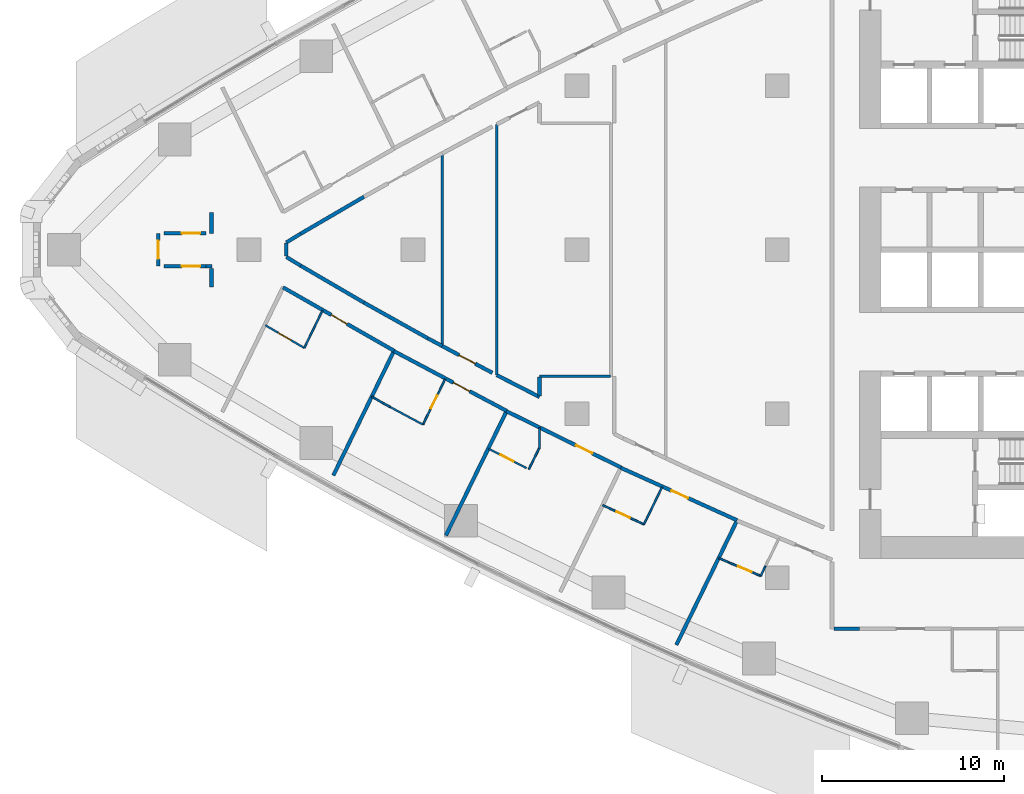
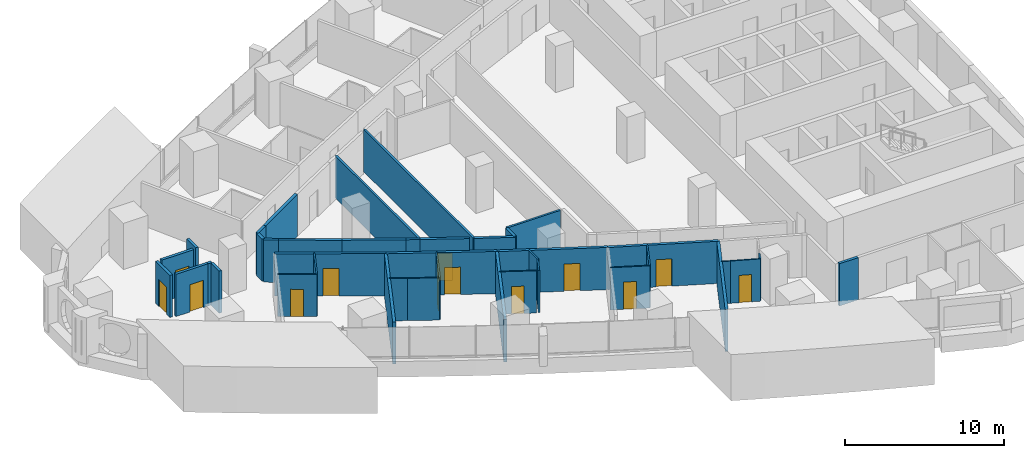
# One storey, part 9 of 19: 40 walls, 13 doors, 13 openings.
"""IFC4 building model written with IfcOpenShell, lengths in metres."""

import ifcopenshell
import ifcopenshell.guid

model = None  # the IFC model being written
_history = None  # IfcOwnerHistory: only IFC2X3 demands one
_inside = {}  # id of a spatial element -> (the spatial element, [elements in it])
_under = {}  # id of a project, library or spatial element -> (it, [spatial elements below it])
_declared = {}  # id of a project -> (the project, [libraries it declares])
_typed = {}  # id of a type object -> (the type object, [elements of that type])
_made_of = {}  # id of a material, layer set ... -> (it, [elements and type objects made of it])


def new_model(schema):
    """Start an empty IFC model of exactly this schema.

    Asked for "IFC4X3", IfcOpenShell would pick the latest addendum, in which some entities
    have other attributes; the version numbers below select the first issue.
    IFC2X3 requires an IfcOwnerHistory on every rooted entity: one is made here for all.
    """
    global model, _history
    if schema == "IFC4X3":
        model = ifcopenshell.file(schema_version=(4, 3, 0, 0))
    else:
        model = ifcopenshell.file(schema=schema)
    _inside.clear()
    _under.clear()
    _declared.clear()
    _typed.clear()
    _made_of.clear()
    _history = None
    if model.schema == "IFC2X3":
        org = make("IfcOrganization", Name="unknown")
        user = make(
            "IfcPersonAndOrganization",
            ThePerson=make("IfcPerson", FamilyName="unknown"),
            TheOrganization=org,
        )
        app = make(
            "IfcApplication",
            ApplicationDeveloper=org,
            Version="unknown",
            ApplicationFullName="unknown",
            ApplicationIdentifier="unknown",
        )
        _history = make(
            "IfcOwnerHistory",
            OwningUser=user,
            OwningApplication=app,
            ChangeAction="ADDED",
            CreationDate=0,
        )
    return model


def make(cls, **values):
    """One entity of the class cls with the attributes given. An attribute that is None is left unset."""
    return model.create_entity(
        cls, **{name: value for name, value in values.items() if value is not None}
    )


def rooted(cls, **values):
    """An entity with a GlobalId (a new one), such as an element, a storey or a relation."""
    return make(cls, GlobalId=ifcopenshell.guid.new(), OwnerHistory=_history, **values)


def si_unit(unit_type, name, prefix=None):
    """IfcSIUnit, for example si_unit("LENGTHUNIT", "METRE", prefix="MILLI")."""
    return make("IfcSIUnit", UnitType=unit_type, Prefix=prefix, Name=name)


def assignment(units):
    """IfcUnitAssignment: the units of a project."""
    return None if units is None else make("IfcUnitAssignment", Units=units)


def point(xyz):
    """IfcCartesianPoint."""
    return None if xyz is None else make("IfcCartesianPoint", Coordinates=xyz)


def direction(xyz):
    """IfcDirection."""
    return None if xyz is None else make("IfcDirection", DirectionRatios=xyz)


def frame(location, z_axis=None, x_axis=None):
    """IfcAxis2Placement3D, a coordinate frame: its origin and axes. An axis left out is left unset."""
    return make(
        "IfcAxis2Placement3D",
        Location=point(location),
        Axis=direction(z_axis),
        RefDirection=direction(x_axis),
    )


def frame_2d(location, x_axis=None):
    """IfcAxis2Placement2D, a coordinate frame in the plane: its origin and x axis."""
    return make(
        "IfcAxis2Placement2D", Location=point(location), RefDirection=direction(x_axis)
    )


def origin():
    """The frame at (0, 0, 0) with its axes left unset."""
    return frame((0.0, 0.0, 0.0))


def place(relative_to, where):
    """IfcLocalPlacement: puts the frame where relative to a parent placement (None: the world)."""
    return make(
        "IfcLocalPlacement", PlacementRelTo=relative_to, RelativePlacement=where
    )


def context(
    kind, dimensions, precision=None, world=None, true_north=None, identifier=None
):
    """IfcGeometricRepresentationContext, for example the 3D "Model" context."""
    return make(
        "IfcGeometricRepresentationContext",
        ContextIdentifier=identifier,
        ContextType=kind,
        CoordinateSpaceDimension=dimensions,
        Precision=precision,
        WorldCoordinateSystem=world,
        TrueNorth=true_north,
    )


def subcontext(parent, identifier, kind, view, scale=None):
    """IfcGeometricRepresentationSubContext, for example "Body" below "Model"."""
    return make(
        "IfcGeometricRepresentationSubContext",
        ContextIdentifier=identifier,
        ContextType=kind,
        ParentContext=parent,
        TargetScale=scale,
        TargetView=view,
    )


def project(units=None, contexts=None):
    """IfcProject with its units and contexts."""
    return rooted(
        "IfcProject",
        Name="project",
        RepresentationContexts=contexts,
        UnitsInContext=assignment(units),
    )


def spatial(cls, under=None, at=None, **own):
    """A site, building, storey or space (cls), placed at a placement, below another one or the project."""
    s = rooted(cls, ObjectPlacement=at, **own)
    if under is not None:
        _under.setdefault(under.id(), (under, []))[1].append(s)
    return s


def profile(cls, at=None, kind="AREA", **sizes):
    """A parametric profile (cls). Its sizes go by their IFC names, for example OverallWidth=200.0."""
    return make(cls, ProfileType=kind, Position=at, **sizes)


def rectangle(**sizes):
    """IfcRectangleProfileDef."""
    return profile("IfcRectangleProfileDef", **sizes)


def extrude(swept, where, along, depth):
    """IfcExtrudedAreaSolid: the profile swept, set in the frame where, extruded along a direction by depth."""
    return make(
        "IfcExtrudedAreaSolid",
        SweptArea=swept,
        Position=where,
        ExtrudedDirection=direction(along),
        Depth=depth,
    )


def shape(context_of_items, identifier, shape_type, items):
    """IfcShapeRepresentation: the items that make up one representation, for example the "Body"."""
    return make(
        "IfcShapeRepresentation",
        ContextOfItems=context_of_items,
        RepresentationIdentifier=identifier,
        RepresentationType=shape_type,
        Items=items,
    )


def material(Name=None, Category=None):
    """IfcMaterial."""
    return make("IfcMaterial", Name=Name, Category=Category)


def layer(
    of_material, thickness, ventilated=None, Name=None, Category=None, Priority=None
):
    """IfcMaterialLayer: one layer of a wall or slab, of a material (None: an air gap)."""
    return make(
        "IfcMaterialLayer",
        Material=of_material,
        LayerThickness=thickness,
        IsVentilated=ventilated,
        Name=Name,
        Category=Category,
        Priority=Priority,
    )


def layer_set(layers, Name=None):
    """IfcMaterialLayerSet."""
    return make("IfcMaterialLayerSet", MaterialLayers=layers, LayerSetName=Name)


def made_of(thing, what):
    """Note that an element or type object is made of a material, layer set ...; save() writes the relation."""
    if what is not None:
        _made_of.setdefault(what.id(), (what, []))[1].append(thing)
    return thing


def type_object(cls, material=None, **own):
    """A type object (cls), such as IfcWallType, which elements share."""
    return made_of(rooted(cls, **own), material)


def element(
    cls,
    number,
    at=None,
    inside=None,
    cuts=None,
    type_object=None,
    material=None,
    context=None,
    identifier="Body",
    shape_type=None,
    held_by="IfcProductDefinitionShape",
    body=None,
    shapes=None,
    **own,
):
    """One element of the class cls, such as IfcWall. Its Tag is "e" and its number.

    at: its placement. inside: the storey or other place that contains it. cuts: it is an
    opening in that element (IfcRelVoidsElement). A single representation is given by context,
    identifier, shape_type and body (its items); several are given by shapes. held_by: the class
    of the entity that holds the representations. save() writes the other relations.
    """
    e = rooted(cls, Tag="e%d" % number, ObjectPlacement=at, **own)
    if body is not None:
        shapes = [shape(context, identifier, shape_type, body)]
    if shapes is not None:
        e.Representation = make(held_by, Representations=shapes)
    if inside is not None:
        _inside.setdefault(inside.id(), (inside, []))[1].append(e)
    if cuts is not None:
        rooted(
            "IfcRelVoidsElement", RelatingBuildingElement=cuts, RelatedOpeningElement=e
        )
    if type_object is not None:
        _typed.setdefault(type_object.id(), (type_object, []))[1].append(e)
    return made_of(e, material)


def fill(opening, filler):
    """IfcRelFillsElement: the door or window that sits in an opening."""
    return rooted(
        "IfcRelFillsElement",
        RelatingOpeningElement=opening,
        RelatedBuildingElement=filler,
    )


def aggregate(whole, parts):
    """IfcRelAggregates: a whole, such as a stair, and the parts it consists of."""
    return rooted("IfcRelAggregates", RelatingObject=whole, RelatedObjects=parts)


def save(model, path):
    """Write the relations noted so far, then the file.

    IfcRelAggregates (storeys below a building ...), IfcRelContainedInSpatialStructure (elements
    in a storey), IfcRelDefinesByType, IfcRelAssociatesMaterial and IfcRelDeclares: one each for
    every whole, place, type object, material and project.
    """
    for whole, parts in _under.values():
        aggregate(whole, parts)
    for where, things in _inside.values():
        rooted(
            "IfcRelContainedInSpatialStructure",
            RelatedElements=things,
            RelatingStructure=where,
        )
    for kind, things in _typed.values():
        rooted("IfcRelDefinesByType", RelatedObjects=things, RelatingType=kind)
    for what, things in _made_of.values():
        rooted("IfcRelAssociatesMaterial", RelatedObjects=things, RelatingMaterial=what)
    for by, libraries in _declared.values():
        rooted("IfcRelDeclares", RelatingContext=by, RelatedDefinitions=libraries)
    model.write(path)


model = new_model("IFC4")

# Units and contexts
model_context = context("Model", 3, precision=1e-05, world=origin(), true_north=direction((0.0, 1.0)))
body_context = subcontext(model_context, "Body", "Model", "MODEL_VIEW")
ifc_project = project(units=[si_unit("LENGTHUNIT", "METRE"), si_unit("AREAUNIT", "SQUARE_METRE"), si_unit("VOLUMEUNIT", "CUBIC_METRE"), si_unit("PLANEANGLEUNIT", "RADIAN"), si_unit("MASSUNIT", "GRAM", prefix="KILO")], contexts=[model_context])

# Site, building, storey
site_placement = place(None, origin())
site = spatial("IfcSite", under=ifc_project, at=site_placement, CompositionType="ELEMENT")
building_placement = place(site_placement, origin())
building = spatial("IfcBuilding", under=site, at=building_placement, Name="Ostrand Prow Hotel Tower", CompositionType="ELEMENT")
storey_placement = place(building_placement, frame((0.0, 0.0, 68.0)))
storey = spatial("IfcBuildingStorey", under=building, at=storey_placement, Name="L15", CompositionType="ELEMENT", Elevation=68.0)

# Wall
ifc_material_1 = material(Name="Plasterboard partition")
ifc_layer_1 = layer(ifc_material_1, 0.10009765625)
ifc_layer_set_1 = layer_set([ifc_layer_1], Name="Plasterboard partition")
wall_type_1 = type_object("IfcWallType", Name="Partition 100 bathroom wall", PredefinedType="PARTITIONING", material=ifc_layer_set_1)
wall_1_placement = place(storey_placement, frame((20.035400390625, -3.338134765625, 0.0), z_axis=(0.0, 0.0, 1.0), x_axis=(-0.438122322582, -0.898915363344, 0.0)))
element("IfcWall", 1, at=wall_1_placement, inside=storey, type_object=wall_type_1, Name="BATHROOM WALL", PredefinedType="PARTITIONING", context=body_context, shape_type="SweptSolid", body=[
    extrude(rectangle(XDim=2.282958984375, YDim=0.10009765625, at=frame_2d((1.1416015625, 0.0))), origin(), (0.0, 0.0, 1.0), 3.25),
])

# Wall, opening, door
wall_2_placement = place(storey_placement, frame((19.034912109375, -5.390380859375, 0.0), z_axis=(0.0, 0.0, 1.0), x_axis=(-0.863707305865, 0.503993739837, 0.0)))
wall_2 = element("IfcWall", 2, at=wall_2_placement, inside=storey, type_object=wall_type_1, Name="BATHROOM WALL", PredefinedType="PARTITIONING", context=body_context, shape_type="SweptSolid", body=[
    extrude(rectangle(XDim=2.473876953125, YDim=0.10009765625, at=frame_2d((1.23681640625, 0.0))), origin(), (0.0, 0.0, 1.0), 3.25),
])
opening_1_placement = place(wall_2_placement, frame((0.85009765625, 0.0, 0.0)))
opening_1 = element("IfcOpeningElement", 3, at=opening_1_placement, cuts=wall_2, Name="Opening D2", PredefinedType="OPENING", context=body_context, shape_type="SweptSolid", body=[
    extrude(rectangle(XDim=0.800048828125, YDim=2.10009765625, at=frame_2d((0.39990234375, 1.050048828125))), frame((0.0, 0.06005859375, 0.0), z_axis=(0.0, -1.0, 0.0), x_axis=(1.0, 0.0, 0.0)), (0.0, 0.0, 1.0), 0.1201171875),
])
ifc_material_2 = material(Name="Timber door leaf", Category="wood")
door_type_1 = type_object("IfcDoorType", Name="Bathroom door 800", OperationType="SINGLE_SWING_LEFT", PredefinedType="DOOR", material=ifc_material_2)
door_1_placement = place(opening_1_placement, origin())
door_1 = element("IfcDoor", 4, at=door_1_placement, inside=storey, type_object=door_type_1, Name="DOOR", OperationType="SINGLE_SWING_LEFT", OverallHeight=2.10009765625, OverallWidth=0.800048828125, PredefinedType="DOOR", context=body_context, shape_type="SweptSolid", body=[
    extrude(rectangle(XDim=0.800048828125, YDim=2.10009765625, at=frame_2d((0.39990234375, 1.050048828125))), frame((0.0, 0.02490234375, 0.0), z_axis=(0.0, -1.0, 0.0), x_axis=(1.0, 0.0, 0.0)), (0.0, 0.0, 1.0), 0.050048828125),
])
fill(opening_1, door_1)

wall_3_placement = place(storey_placement, frame((26.76806640625, -7.099609375, 0.0), z_axis=(0.0, 0.0, 1.0), x_axis=(-0.43822975423, -0.898862994292, 0.0)))
wall_3 = element("IfcWall", 5, at=wall_3_placement, inside=storey, type_object=wall_type_1, Name="BATHROOM WALL", PredefinedType="PARTITIONING", context=body_context, shape_type="SweptSolid", body=[
    extrude(rectangle(XDim=2.77880859375, YDim=0.10009765625, at=frame_2d((1.389404296875, 0.0))), origin(), (0.0, 0.0, 1.0), 3.25),
])
opening_2_placement = place(wall_3_placement, frame((1.0, 0.0, 0.0)))
opening_2 = element("IfcOpeningElement", 6, at=opening_2_placement, cuts=wall_3, Name="Opening D2", PredefinedType="OPENING", context=body_context, shape_type="SweptSolid", body=[
    extrude(rectangle(XDim=0.800048828125, YDim=2.10009765625, at=frame_2d((0.39990234375, 1.050048828125))), frame((0.0, 0.06005859375, 0.0), z_axis=(0.0, -1.0, 0.0), x_axis=(1.0, 0.0, 0.0)), (0.0, 0.0, 1.0), 0.1201171875),
])
door_2_placement = place(opening_2_placement, origin())
door_2 = element("IfcDoor", 7, at=door_2_placement, inside=storey, type_object=door_type_1, Name="DOOR", OperationType="SINGLE_SWING_LEFT", OverallHeight=2.10009765625, OverallWidth=0.800048828125, PredefinedType="DOOR", context=body_context, shape_type="SweptSolid", body=[
    extrude(rectangle(XDim=0.800048828125, YDim=2.10009765625, at=frame_2d((0.39990234375, 1.050048828125))), frame((0.0, 0.02490234375, 0.0), z_axis=(0.0, -1.0, 0.0), x_axis=(1.0, 0.0, 0.0)), (0.0, 0.0, 1.0), 0.050048828125),
])
fill(opening_2, door_2)

# Walls
wall_4_placement = place(storey_placement, frame((25.55029296875, -9.597412109375, 0.0), z_axis=(0.0, 0.0, 1.0), x_axis=(-0.881675736231, 0.471855800156, 0.0)))
element("IfcWall", 8, at=wall_4_placement, inside=storey, type_object=wall_type_1, Name="BATHROOM WALL", PredefinedType="PARTITIONING", context=body_context, shape_type="SweptSolid", body=[
    extrude(rectangle(XDim=2.03857421875, YDim=0.10009765625, at=frame_2d((1.019287109375, 0.0))), origin(), (0.0, 0.0, 1.0), 3.25),
])
wall_5_placement = place(storey_placement, frame((23.7529296875, -8.635498046875, 0.0), z_axis=(0.0, 0.0, 1.0), x_axis=(-0.872799020153, 0.488079778745, 0.0)))
element("IfcWall", 9, at=wall_5_placement, inside=storey, type_object=wall_type_1, Name="BATHROOM WALL", PredefinedType="PARTITIONING", context=body_context, shape_type="SweptSolid", body=[
    extrude(rectangle(XDim=1.16455078125, YDim=0.10009765625, at=frame_2d((0.582275390625, 0.0))), origin(), (0.0, 0.0, 1.0), 3.25),
])
wall_6_placement = place(storey_placement, frame((31.92529296875, -10.89794921875, 0.0), z_axis=(0.0, 0.0, 1.0), x_axis=(-0.438356099343, -0.898801385273, 0.0)))
element("IfcWall", 10, at=wall_6_placement, inside=storey, type_object=wall_type_1, Name="BATHROOM WALL", PredefinedType="PARTITIONING", context=body_context, shape_type="SweptSolid", body=[
    extrude(rectangle(XDim=1.281982421875, YDim=0.10009765625, at=frame_2d((0.64111328125, 0.0))), origin(), (0.0, 0.0, 1.0), 3.25),
])

# Wall, opening, door
wall_7_placement = place(storey_placement, frame((31.232177734375, -11.986083984375, 0.0), z_axis=(0.0, 0.0, 1.0), x_axis=(-0.890219804082, 0.45553122881, 0.0)))
wall_7 = element("IfcWall", 11, at=wall_7_placement, inside=storey, type_object=wall_type_1, Name="BATHROOM WALL", PredefinedType="PARTITIONING", context=body_context, shape_type="SweptSolid", body=[
    extrude(rectangle(XDim=2.3544921875, YDim=0.10009765625, at=frame_2d((1.17724609375, 0.0))), origin(), (0.0, 0.0, 1.0), 3.25),
])
opening_3_placement = place(wall_7_placement, frame((0.800048828125, 0.0, 0.0)))
opening_3 = element("IfcOpeningElement", 12, at=opening_3_placement, cuts=wall_7, Name="Opening D2", PredefinedType="OPENING", context=body_context, shape_type="SweptSolid", body=[
    extrude(rectangle(XDim=0.800048828125, YDim=2.10009765625, at=frame_2d((0.39990234375, 1.050048828125))), frame((0.0, 0.06005859375, 0.0), z_axis=(0.0, -1.0, 0.0), x_axis=(1.0, 0.0, 0.0)), (0.0, 0.0, 1.0), 0.1201171875),
])
door_3_placement = place(opening_3_placement, origin())
door_3 = element("IfcDoor", 13, at=door_3_placement, inside=storey, type_object=door_type_1, Name="DOOR", OperationType="SINGLE_SWING_LEFT", OverallHeight=2.10009765625, OverallWidth=0.800048828125, PredefinedType="DOOR", context=body_context, shape_type="SweptSolid", body=[
    extrude(rectangle(XDim=0.800048828125, YDim=2.10009765625, at=frame_2d((0.39990234375, 1.050048828125))), frame((0.0, 0.02490234375, 0.0), z_axis=(0.0, -1.0, 0.0), x_axis=(1.0, 0.0, 0.0)), (0.0, 0.0, 1.0), 0.050048828125),
])
fill(opening_3, door_3)

# Wall
wall_8_placement = place(storey_placement, frame((38.6748046875, -13.026611328125, 0.0), z_axis=(0.0, 0.0, 1.0), x_axis=(-0.43818492173, -0.89888485045, 0.0)))
element("IfcWall", 14, at=wall_8_placement, inside=storey, type_object=wall_type_1, Name="BATHROOM WALL", PredefinedType="PARTITIONING", context=body_context, shape_type="SweptSolid", body=[
    extrude(rectangle(XDim=2.277099609375, YDim=0.10009765625, at=frame_2d((1.138671875, 0.0))), origin(), (0.0, 0.0, 1.0), 3.25),
])

# Wall, opening, door
wall_9_placement = place(storey_placement, frame((37.677001953125, -15.07373046875, 0.0), z_axis=(0.0, 0.0, 1.0), x_axis=(-0.906317797926, 0.422596792655, 0.0)))
wall_9 = element("IfcWall", 15, at=wall_9_placement, inside=storey, type_object=wall_type_1, Name="BATHROOM WALL", PredefinedType="PARTITIONING", context=body_context, shape_type="SweptSolid", body=[
    extrude(rectangle(XDim=2.500244140625, YDim=0.10009765625, at=frame_2d((1.25, 0.0))), origin(), (0.0, 0.0, 1.0), 3.25),
])
opening_4_placement = place(wall_9_placement, frame((0.85009765625, 0.0, 0.0)))
opening_4 = element("IfcOpeningElement", 16, at=opening_4_placement, cuts=wall_9, Name="Opening D2", PredefinedType="OPENING", context=body_context, shape_type="SweptSolid", body=[
    extrude(rectangle(XDim=0.800048828125, YDim=2.10009765625, at=frame_2d((0.39990234375, 1.050048828125))), frame((0.0, 0.06005859375, 0.0), z_axis=(0.0, -1.0, 0.0), x_axis=(1.0, 0.0, 0.0)), (0.0, 0.0, 1.0), 0.1201171875),
])
door_4_placement = place(opening_4_placement, origin())
door_4 = element("IfcDoor", 17, at=door_4_placement, inside=storey, type_object=door_type_1, Name="DOOR", OperationType="SINGLE_SWING_LEFT", OverallHeight=2.10009765625, OverallWidth=0.800048828125, PredefinedType="DOOR", context=body_context, shape_type="SweptSolid", body=[
    extrude(rectangle(XDim=0.800048828125, YDim=2.10009765625, at=frame_2d((0.39990234375, 1.050048828125))), frame((0.0, 0.02490234375, 0.0), z_axis=(0.0, -1.0, 0.0), x_axis=(1.0, 0.0, 0.0)), (0.0, 0.0, 1.0), 0.050048828125),
])
fill(opening_4, door_4)

# Wall
wall_10_placement = place(storey_placement, frame((44.35009765625, -17.35986328125, 0.0), z_axis=(0.0, 0.0, 1.0), x_axis=(-0.438279975423, -0.898838507822, 0.0)))
element("IfcWall", 18, at=wall_10_placement, inside=storey, type_object=wall_type_1, Name="BATHROOM WALL", PredefinedType="PARTITIONING", context=body_context, shape_type="SweptSolid", body=[
    extrude(rectangle(XDim=0.602783203125, YDim=0.10009765625, at=frame_2d((0.30126953125, 0.0))), origin(), (0.0, 0.0, 1.0), 3.25),
])

# Wall, opening, door
wall_11_placement = place(storey_placement, frame((44.0859375, -17.901611328125, 0.0), z_axis=(0.0, 0.0, 1.0), x_axis=(-0.921263923232, 0.38893802045, 0.0)))
wall_11 = element("IfcWall", 19, at=wall_11_placement, inside=storey, type_object=wall_type_1, Name="BATHROOM WALL", PredefinedType="PARTITIONING", context=body_context, shape_type="SweptSolid", body=[
    extrude(rectangle(XDim=1.89501953125, YDim=0.10009765625, at=frame_2d((0.947509765625, 0.0))), origin(), (0.0, 0.0, 1.0), 3.25),
])
opening_5_placement = place(wall_11_placement, frame((0.550048828125, 0.0, 0.0)))
opening_5 = element("IfcOpeningElement", 20, at=opening_5_placement, cuts=wall_11, Name="Opening D2", PredefinedType="OPENING", context=body_context, shape_type="SweptSolid", body=[
    extrude(rectangle(XDim=0.800048828125, YDim=2.10009765625, at=frame_2d((0.39990234375, 1.050048828125))), frame((0.0, 0.06005859375, 0.0), z_axis=(0.0, -1.0, 0.0), x_axis=(1.0, 0.0, 0.0)), (0.0, 0.0, 1.0), 0.1201171875),
])
door_5_placement = place(opening_5_placement, origin())
door_5 = element("IfcDoor", 21, at=door_5_placement, inside=storey, type_object=door_type_1, Name="DOOR", OperationType="SINGLE_SWING_LEFT", OverallHeight=2.10009765625, OverallWidth=0.800048828125, PredefinedType="DOOR", context=body_context, shape_type="SweptSolid", body=[
    extrude(rectangle(XDim=0.800048828125, YDim=2.10009765625, at=frame_2d((0.39990234375, 1.050048828125))), frame((0.0, 0.02490234375, 0.0), z_axis=(0.0, -1.0, 0.0), x_axis=(1.0, 0.0, 0.0)), (0.0, 0.0, 1.0), 0.050048828125),
])
fill(opening_5, door_5)

# Walls
wall_12_placement = place(storey_placement, frame((42.33984375, -17.16455078125, 0.0), z_axis=(0.0, 0.0, 1.0), x_axis=(-0.913894320415, 0.405952178357, 0.0)))
element("IfcWall", 22, at=wall_12_placement, inside=storey, type_object=wall_type_1, Name="BATHROOM WALL", PredefinedType="PARTITIONING", context=body_context, shape_type="SweptSolid", body=[
    extrude(rectangle(XDim=0.60791015625, YDim=0.10009765625, at=frame_2d((0.303955078125, 0.0))), origin(), (0.0, 0.0, 1.0), 3.25),
])
wall_13_placement = place(storey_placement, frame((31.945068359375, -9.77294921875, 0.0), z_axis=(0.0, 0.0, 1.0), x_axis=(0.0, -1.0, 0.0)))
element("IfcWall", 23, at=wall_13_placement, inside=storey, type_object=wall_type_1, Name="BATHROOM WALL", PredefinedType="PARTITIONING", context=body_context, shape_type="SweptSolid", body=[
    extrude(rectangle(XDim=1.15283203125, YDim=0.10009765625, at=frame_2d((0.576416015625, 0.0))), origin(), (0.0, 0.0, 1.0), 3.25),
])
ifc_material_3 = material(Name="Plasterboard partition")
ifc_layer_2 = layer(ifc_material_3, 0.14990234375)
ifc_layer_set_2 = layer_set([ifc_layer_2], Name="Plasterboard partition")
wall_type_2 = type_object("IfcWallType", Name="Partition 150 room partition", PredefinedType="PARTITIONING", material=ifc_layer_set_2)
wall_14_placement = place(storey_placement, frame((26.603515625, -5.283935546875, 0.0), z_axis=(0.0, 0.0, 1.0), x_axis=(0.0, 1.0, 0.0)))
element("IfcWall", 24, at=wall_14_placement, inside=storey, type_object=wall_type_2, Name="ROOM PARTITION", PredefinedType="PARTITIONING", context=body_context, shape_type="SweptSolid", body=[
    extrude(rectangle(XDim=10.56787109375, YDim=0.14990234375, at=frame_2d((5.283935546875, 0.0))), origin(), (0.0, 0.0, 1.0), 3.25),
])
wall_15_placement = place(storey_placement, frame((29.603515625, -6.884033203125, 0.0), z_axis=(0.0, 0.0, 1.0), x_axis=(0.0, 1.0, 0.0)))
element("IfcWall", 25, at=wall_15_placement, inside=storey, type_object=wall_type_2, Name="ROOM PARTITION", PredefinedType="PARTITIONING", context=body_context, shape_type="SweptSolid", body=[
    extrude(rectangle(XDim=13.76806640625, YDim=0.14990234375, at=frame_2d((6.884033203125, 0.0))), origin(), (0.0, 0.0, 1.0), 3.25),
])
wall_16_placement = place(storey_placement, frame((35.836181640625, -6.945068359375, 0.0), z_axis=(0.0, 0.0, 1.0), x_axis=(-0.999999998028, -6.2798292e-05, 0.0)))
element("IfcWall", 26, at=wall_16_placement, inside=storey, type_object=wall_type_2, Name="ROOM PARTITION", PredefinedType="PARTITIONING", context=body_context, shape_type="SweptSolid", body=[
    extrude(rectangle(XDim=3.8876953125, YDim=0.14990234375, at=frame_2d((1.94384765625, 0.0))), origin(), (0.0, 0.0, 1.0), 3.25),
])

# Wall, opening, door
ifc_material_4 = material(Name="Plasterboard partition")
ifc_layer_3 = layer(ifc_material_4, 0.199951171875)
ifc_layer_set_3 = layer_set([ifc_layer_3], Name="Plasterboard partition")
wall_type_3 = type_object("IfcWallType", Name="Partition 200 corridor wall", PredefinedType="PARTITIONING", material=ifc_layer_set_3)
wall_17_placement = place(storey_placement, frame((17.87353515625, -2.068115234375, 0.0), z_axis=(0.0, 0.0, 1.0), x_axis=(0.868427275315, -0.495816566373, 0.0)))
wall_17 = element("IfcWall", 27, at=wall_17_placement, inside=storey, type_object=wall_type_3, Name="CORRIDOR WALL", PredefinedType="PARTITIONING", context=body_context, shape_type="SweptSolid", body=[
    extrude(rectangle(XDim=7.0146484375, YDim=0.199951171875, at=frame_2d((3.50732421875, 0.0))), origin(), (0.0, 0.0, 1.0), 3.25),
])
opening_6_placement = place(wall_17_placement, frame((3.050048828125, 0.0, 0.0)))
opening_6 = element("IfcOpeningElement", 28, at=opening_6_placement, cuts=wall_17, Name="Opening D1R", PredefinedType="OPENING", context=body_context, shape_type="SweptSolid", body=[
    extrude(rectangle(XDim=1.0, YDim=2.10009765625, at=frame_2d((0.5, 1.050048828125))), frame((0.0, 0.10986328125, 0.0), z_axis=(0.0, -1.0, 0.0), x_axis=(1.0, 0.0, 0.0)), (0.0, 0.0, 1.0), 0.219970703125),
])
ifc_material_5 = material(Name="Timber door leaf", Category="wood")
door_type_2 = type_object("IfcDoorType", Name="Guest room door 1000 right", OperationType="SINGLE_SWING_RIGHT", PredefinedType="DOOR", material=ifc_material_5)
door_6_placement = place(opening_6_placement, origin())
door_6 = element("IfcDoor", 29, at=door_6_placement, inside=storey, type_object=door_type_2, Name="DOOR", OperationType="SINGLE_SWING_RIGHT", OverallHeight=2.10009765625, OverallWidth=1.0, PredefinedType="DOOR", context=body_context, shape_type="SweptSolid", body=[
    extrude(rectangle(XDim=1.0, YDim=2.10009765625, at=frame_2d((0.5, 1.050048828125))), frame((0.0, 0.02490234375, 0.0), z_axis=(0.0, -1.0, 0.0), x_axis=(1.0, 0.0, 0.0)), (0.0, 0.0, 1.0), 0.050048828125),
])
fill(opening_6, door_6)

wall_18_placement = place(storey_placement, frame((23.95654296875, -5.564208984375, 0.0), z_axis=(0.0, 0.0, 1.0), x_axis=(0.883455325405, -0.468515408513, 0.0)))
wall_18 = element("IfcWall", 30, at=wall_18_placement, inside=storey, type_object=wall_type_3, Name="CORRIDOR WALL", PredefinedType="PARTITIONING", context=body_context, shape_type="SweptSolid", body=[
    extrude(rectangle(XDim=7.00390625, YDim=0.199951171875, at=frame_2d((3.501953125, 0.0))), origin(), (0.0, 0.0, 1.0), 3.25),
])
opening_7_placement = place(wall_18_placement, frame((3.699951171875, 0.0, 0.0)))
opening_7 = element("IfcOpeningElement", 31, at=opening_7_placement, cuts=wall_18, Name="Opening D1R", PredefinedType="OPENING", context=body_context, shape_type="SweptSolid", body=[
    extrude(rectangle(XDim=1.0, YDim=2.10009765625, at=frame_2d((0.5, 1.050048828125))), frame((0.0, 0.10986328125, 0.0), z_axis=(0.0, -1.0, 0.0), x_axis=(1.0, 0.0, 0.0)), (0.0, 0.0, 1.0), 0.219970703125),
])
door_7_placement = place(opening_7_placement, origin())
door_7 = element("IfcDoor", 32, at=door_7_placement, inside=storey, type_object=door_type_2, Name="DOOR", OperationType="SINGLE_SWING_RIGHT", OverallHeight=2.10009765625, OverallWidth=1.0, PredefinedType="DOOR", context=body_context, shape_type="SweptSolid", body=[
    extrude(rectangle(XDim=1.0, YDim=2.10009765625, at=frame_2d((0.5, 1.050048828125))), frame((0.0, 0.02490234375, 0.0), z_axis=(0.0, -1.0, 0.0), x_axis=(1.0, 0.0, 0.0)), (0.0, 0.0, 1.0), 0.050048828125),
])
fill(opening_7, door_7)

wall_19_placement = place(storey_placement, frame((30.135498046875, -8.86376953125, 0.0), z_axis=(0.0, 0.0, 1.0), x_axis=(0.897599118183, -0.44081268475, 0.0)))
wall_19 = element("IfcWall", 33, at=wall_19_placement, inside=storey, type_object=wall_type_3, Name="CORRIDOR WALL", PredefinedType="PARTITIONING", context=body_context, shape_type="SweptSolid", body=[
    extrude(rectangle(XDim=7.0, YDim=0.199951171875, at=frame_2d((3.5, 0.0))), origin(), (0.0, 0.0, 1.0), 3.25),
])
opening_8_placement = place(wall_19_placement, frame((4.25, 0.0, 0.0)))
opening_8 = element("IfcOpeningElement", 34, at=opening_8_placement, cuts=wall_19, Name="Opening D1R", PredefinedType="OPENING", context=body_context, shape_type="SweptSolid", body=[
    extrude(rectangle(XDim=1.0, YDim=2.10009765625, at=frame_2d((0.5, 1.050048828125))), frame((0.0, 0.10986328125, 0.0), z_axis=(0.0, -1.0, 0.0), x_axis=(1.0, 0.0, 0.0)), (0.0, 0.0, 1.0), 0.219970703125),
])
door_8_placement = place(opening_8_placement, origin())
door_8 = element("IfcDoor", 35, at=door_8_placement, inside=storey, type_object=door_type_2, Name="DOOR", OperationType="SINGLE_SWING_RIGHT", OverallHeight=2.10009765625, OverallWidth=1.0, PredefinedType="DOOR", context=body_context, shape_type="SweptSolid", body=[
    extrude(rectangle(XDim=1.0, YDim=2.10009765625, at=frame_2d((0.5, 1.050048828125))), frame((0.0, 0.02490234375, 0.0), z_axis=(0.0, -1.0, 0.0), x_axis=(1.0, 0.0, 0.0)), (0.0, 0.0, 1.0), 0.050048828125),
])
fill(opening_8, door_8)

wall_20_placement = place(storey_placement, frame((36.409912109375, -11.967529296875, 0.0), z_axis=(0.0, 0.0, 1.0), x_axis=(0.911422478094, -0.411471829443, 0.0)))
wall_20 = element("IfcWall", 36, at=wall_20_placement, inside=storey, type_object=wall_type_3, Name="CORRIDOR WALL", PredefinedType="PARTITIONING", context=body_context, shape_type="SweptSolid", body=[
    extrude(rectangle(XDim=7.003173828125, YDim=0.199951171875, at=frame_2d((3.50146484375, 0.0))), origin(), (0.0, 0.0, 1.0), 3.25),
])
opening_9_placement = place(wall_20_placement, frame((3.050048828125, 0.0, 0.0)))
opening_9 = element("IfcOpeningElement", 37, at=opening_9_placement, cuts=wall_20, Name="Opening D1R", PredefinedType="OPENING", context=body_context, shape_type="SweptSolid", body=[
    extrude(rectangle(XDim=1.0, YDim=2.10009765625, at=frame_2d((0.5, 1.050048828125))), frame((0.0, 0.10986328125, 0.0), z_axis=(0.0, -1.0, 0.0), x_axis=(1.0, 0.0, 0.0)), (0.0, 0.0, 1.0), 0.219970703125),
])
door_9_placement = place(opening_9_placement, origin())
door_9 = element("IfcDoor", 38, at=door_9_placement, inside=storey, type_object=door_type_2, Name="DOOR", OperationType="SINGLE_SWING_RIGHT", OverallHeight=2.10009765625, OverallWidth=1.0, PredefinedType="DOOR", context=body_context, shape_type="SweptSolid", body=[
    extrude(rectangle(XDim=1.0, YDim=2.10009765625, at=frame_2d((0.5, 1.050048828125))), frame((0.0, 0.02490234375, 0.0), z_axis=(0.0, -1.0, 0.0), x_axis=(1.0, 0.0, 0.0)), (0.0, 0.0, 1.0), 0.050048828125),
])
fill(opening_9, door_9)

# Walls
wall_21_placement = place(storey_placement, frame((26.603515625, -5.283935546875, 0.0), z_axis=(0.0, 0.0, 1.0), x_axis=(-0.881715816073, 0.471780902207, 0.0)))
element("IfcWall", 39, at=wall_21_placement, inside=storey, type_object=wall_type_3, Name="CORRIDOR WALL", PredefinedType="PARTITIONING", context=body_context, shape_type="SweptSolid", body=[
    extrude(rectangle(XDim=0.89208984375, YDim=0.199951171875, at=frame_2d((0.446044921875, 0.0))), origin(), (0.0, 0.0, 1.0), 3.25),
])
wall_22_placement = place(storey_placement, frame((25.81689453125, -4.863037109375, 0.0), z_axis=(0.0, 0.0, 1.0), x_axis=(-0.872800289292, 0.488077509225, 0.0)))
element("IfcWall", 40, at=wall_22_placement, inside=storey, type_object=wall_type_3, Name="CORRIDOR WALL", PredefinedType="PARTITIONING", context=body_context, shape_type="SweptSolid", body=[
    extrude(rectangle(XDim=4.015625, YDim=0.199951171875, at=frame_2d((2.0078125, 0.0))), origin(), (0.0, 0.0, 1.0), 3.25),
])
wall_23_placement = place(storey_placement, frame((22.31201171875, -2.903076171875, 0.0), z_axis=(0.0, 0.0, 1.0), x_axis=(-0.863710538269, 0.503988200341, 0.0)))
element("IfcWall", 41, at=wall_23_placement, inside=storey, type_object=wall_type_3, Name="CORRIDOR WALL", PredefinedType="PARTITIONING", context=body_context, shape_type="SweptSolid", body=[
    extrude(rectangle(XDim=4.015869140625, YDim=0.199951171875, at=frame_2d((2.0078125, 0.0))), origin(), (0.0, 0.0, 1.0), 3.25),
])
for number, where, z_axis, x_axis, name in (
    (42, (18.843505859375, -0.879150390625, 0.0), (0.0, 0.0, 1.0), (-0.8542290073, 0.519896915828, 0.0), "CORRIDOR WALL"),
    (43, (18.050048828125, 0.396240234375, 0.0), (0.0, 0.0, 1.0), (0.8542290073, 0.519896915828, 0.0), "CORRIDOR WALL"),
):
    element("IfcWall", number, at=place(storey_placement, frame(where, z_axis=z_axis, x_axis=x_axis)), inside=storey, type_object=wall_type_3, Name=name, PredefinedType="PARTITIONING", context=body_context, shape_type="SweptSolid", body=[
        extrude(rectangle(XDim=0.928955078125, YDim=0.199951171875, at=frame_2d((0.46435546875, 0.0))), origin(), (0.0, 0.0, 1.0), 3.25),
    ])
wall_24_placement = place(storey_placement, frame((18.843505859375, 0.879150390625, 0.0), z_axis=(0.0, 0.0, 1.0), x_axis=(0.863710538269, 0.503988200341, 0.0)))
element("IfcWall", 44, at=wall_24_placement, inside=storey, type_object=wall_type_3, Name="CORRIDOR WALL", PredefinedType="PARTITIONING", context=body_context, shape_type="SweptSolid", body=[
    extrude(rectangle(XDim=4.015869140625, YDim=0.199951171875, at=frame_2d((2.0078125, 0.0))), origin(), (0.0, 0.0, 1.0), 3.25),
])

# Wall, opening, door
wall_25_placement = place(storey_placement, frame((29.357421875, -6.758056640625, 0.0), z_axis=(0.0, 0.0, 1.0), x_axis=(-0.881637943627, 0.471926409895, 0.0)))
wall_25 = element("IfcWall", 45, at=wall_25_placement, inside=storey, type_object=wall_type_3, Name="CORRIDOR WALL", PredefinedType="PARTITIONING", context=body_context, shape_type="SweptSolid", body=[
    extrude(rectangle(XDim=3.12353515625, YDim=0.199951171875, at=frame_2d((1.561767578125, 0.0))), origin(), (0.0, 0.0, 1.0), 3.25),
])
opening_10_placement = place(wall_25_placement, frame((1.061767578125, 0.0, 0.0)))
opening_10 = element("IfcOpeningElement", 46, at=opening_10_placement, cuts=wall_25, Name="Opening D1R", PredefinedType="OPENING", context=body_context, shape_type="SweptSolid", body=[
    extrude(rectangle(XDim=1.0, YDim=2.10009765625, at=frame_2d((0.5, 1.050048828125))), frame((0.0, 0.10986328125, 0.0), z_axis=(0.0, -1.0, 0.0), x_axis=(1.0, 0.0, 0.0)), (0.0, 0.0, 1.0), 0.219970703125),
])
door_10_placement = place(opening_10_placement, origin())
door_10 = element("IfcDoor", 47, at=door_10_placement, inside=storey, type_object=door_type_2, Name="DOOR", OperationType="SINGLE_SWING_RIGHT", OverallHeight=2.10009765625, OverallWidth=1.0, PredefinedType="DOOR", context=body_context, shape_type="SweptSolid", body=[
    extrude(rectangle(XDim=1.0, YDim=2.10009765625, at=frame_2d((0.5, 1.050048828125))), frame((0.0, 0.02490234375, 0.0), z_axis=(0.0, -1.0, 0.0), x_axis=(1.0, 0.0, 0.0)), (0.0, 0.0, 1.0), 0.050048828125),
])
fill(opening_10, door_10)

# Wall
wall_26_placement = place(storey_placement, frame((31.949951171875, -8.084716796875, 0.0), z_axis=(0.0, 0.0, 1.0), x_axis=(-0.890220210981, 0.455530433628, 0.0)))
element("IfcWall", 48, at=wall_26_placement, inside=storey, type_object=wall_type_3, Name="CORRIDOR WALL", PredefinedType="PARTITIONING", context=body_context, shape_type="SweptSolid", body=[
    extrude(rectangle(XDim=2.6357421875, YDim=0.199951171875, at=frame_2d((1.31787109375, 0.0))), origin(), (0.0, 0.0, 1.0), 3.25),
])

# Wall, opening, door
wall_27_placement = place(storey_placement, frame((11.327392578125, 0.89990234375, 0.0), z_axis=(0.0, 0.0, 1.0), x_axis=(1.0, 0.0, 0.0)))
wall_27 = element("IfcWall", 49, at=wall_27_placement, inside=storey, type_object=wall_type_3, Name="CORRIDOR WALL", PredefinedType="PARTITIONING", context=body_context, shape_type="SweptSolid", body=[
    extrude(rectangle(XDim=2.322509765625, YDim=0.199951171875, at=frame_2d((1.1611328125, 0.0))), origin(), (0.0, 0.0, 1.0), 3.25),
])
opening_11_placement = place(wall_27_placement, frame((0.9951171875, 0.0, 0.0)))
opening_11 = element("IfcOpeningElement", 50, at=opening_11_placement, cuts=wall_27, Name="Opening D1", PredefinedType="OPENING", context=body_context, shape_type="SweptSolid", body=[
    extrude(rectangle(XDim=1.0, YDim=2.10009765625, at=frame_2d((0.5, 1.050048828125))), frame((0.0, 0.10986328125, 0.0), z_axis=(0.0, -1.0, 0.0), x_axis=(1.0, 0.0, 0.0)), (0.0, 0.0, 1.0), 0.219970703125),
])
ifc_material_6 = material(Name="Timber door leaf", Category="wood")
door_type_3 = type_object("IfcDoorType", Name="Guest room door 1000", OperationType="SINGLE_SWING_LEFT", PredefinedType="DOOR", material=ifc_material_6)
door_11_placement = place(opening_11_placement, origin())
door_11 = element("IfcDoor", 51, at=door_11_placement, inside=storey, type_object=door_type_3, Name="DOOR", OperationType="SINGLE_SWING_LEFT", OverallHeight=2.10009765625, OverallWidth=1.0, PredefinedType="DOOR", context=body_context, shape_type="SweptSolid", body=[
    extrude(rectangle(XDim=1.0, YDim=2.10009765625, at=frame_2d((0.5, 1.050048828125))), frame((0.0, 0.02490234375, 0.0), z_axis=(0.0, -1.0, 0.0), x_axis=(1.0, 0.0, 0.0)), (0.0, 0.0, 1.0), 0.050048828125),
])
fill(opening_11, door_11)

wall_28_placement = place(storey_placement, frame((11.327392578125, -0.89990234375, 0.0), z_axis=(0.0, 0.0, 1.0), x_axis=(1.0, 0.0, 0.0)))
wall_28 = element("IfcWall", 52, at=wall_28_placement, inside=storey, type_object=wall_type_3, Name="CORRIDOR WALL", PredefinedType="PARTITIONING", context=body_context, shape_type="SweptSolid", body=[
    extrude(rectangle(XDim=2.322509765625, YDim=0.199951171875, at=frame_2d((1.1611328125, 0.0))), origin(), (0.0, 0.0, 1.0), 3.25),
])
opening_12_placement = place(wall_28_placement, frame((0.9951171875, 0.0, 0.0)))
opening_12 = element("IfcOpeningElement", 53, at=opening_12_placement, cuts=wall_28, Name="Opening D1R", PredefinedType="OPENING", context=body_context, shape_type="SweptSolid", body=[
    extrude(rectangle(XDim=1.0, YDim=2.10009765625, at=frame_2d((0.5, 1.050048828125))), frame((0.0, 0.10986328125, 0.0), z_axis=(0.0, -1.0, 0.0), x_axis=(1.0, 0.0, 0.0)), (0.0, 0.0, 1.0), 0.219970703125),
])
door_12_placement = place(opening_12_placement, origin())
door_12 = element("IfcDoor", 54, at=door_12_placement, inside=storey, type_object=door_type_2, Name="DOOR", OperationType="SINGLE_SWING_RIGHT", OverallHeight=2.10009765625, OverallWidth=1.0, PredefinedType="DOOR", context=body_context, shape_type="SweptSolid", body=[
    extrude(rectangle(XDim=1.0, YDim=2.10009765625, at=frame_2d((0.5, 1.050048828125))), frame((0.0, 0.02490234375, 0.0), z_axis=(0.0, -1.0, 0.0), x_axis=(1.0, 0.0, 0.0)), (0.0, 0.0, 1.0), 0.050048828125),
])
fill(opening_12, door_12)

# Walls
wall_29_placement = place(storey_placement, frame((18.054931640625, -0.356689453125, 0.0), z_axis=(0.0, 0.0, 1.0), x_axis=(0.0, 1.0, 0.0)))
element("IfcWall", 55, at=wall_29_placement, inside=storey, type_object=wall_type_3, Name="CORRIDOR WALL", PredefinedType="PARTITIONING", context=body_context, shape_type="SweptSolid", body=[
    extrude(rectangle(XDim=0.71337890625, YDim=0.199951171875, at=frame_2d((0.356689453125, 0.0))), origin(), (0.0, 0.0, 1.0), 3.25),
])
wall_30_placement = place(storey_placement, frame((31.948486328125, -6.985107421875, 0.0), z_axis=(0.0, 0.0, 1.0), x_axis=(-0.003248242724, -0.999994724446, 0.0)))
element("IfcWall", 56, at=wall_30_placement, inside=storey, type_object=wall_type_3, Name="CORRIDOR WALL", PredefinedType="PARTITIONING", context=body_context, shape_type="SweptSolid", body=[
    extrude(rectangle(XDim=1.05224609375, YDim=0.199951171875, at=frame_2d((0.526123046875, 0.0))), origin(), (0.0, 0.0, 1.0), 3.25),
])
wall_31_placement = place(storey_placement, frame((13.945556640625, 2.052490234375, 0.0), z_axis=(0.0, 0.0, 1.0), x_axis=(-0.000424178117, -0.999999910036, 0.0)))
element("IfcWall", 57, at=wall_31_placement, inside=storey, type_object=wall_type_3, Name="CORRIDOR WALL", PredefinedType="PARTITIONING", context=body_context, shape_type="SweptSolid", body=[
    extrude(rectangle(XDim=1.151123046875, YDim=0.199951171875, at=frame_2d((0.57568359375, 0.0))), origin(), (0.0, 0.0, 1.0), 3.25),
])
wall_32_placement = place(storey_placement, frame((13.64990234375, -0.89990234375, 0.0), z_axis=(0.0, 0.0, 1.0), x_axis=(0.999984810316, -0.005511727301, 0.0)))
element("IfcWall", 58, at=wall_32_placement, inside=storey, type_object=wall_type_3, Name="CORRIDOR WALL", PredefinedType="PARTITIONING", context=body_context, shape_type="SweptSolid", body=[
    extrude(rectangle(XDim=0.31005859375, YDim=0.199951171875, at=frame_2d((0.155029296875, 0.0))), origin(), (0.0, 0.0, 1.0), 3.25),
])
wall_33_placement = place(storey_placement, frame((13.945068359375, -1.021484375, 0.0), z_axis=(0.0, 0.0, 1.0), x_axis=(0.000473596916, -0.999999887853, 0.0)))
element("IfcWall", 59, at=wall_33_placement, inside=storey, type_object=wall_type_3, Name="CORRIDOR WALL", PredefinedType="PARTITIONING", context=body_context, shape_type="SweptSolid", body=[
    extrude(rectangle(XDim=1.031005859375, YDim=0.199951171875, at=frame_2d((0.515625, 0.0))), origin(), (0.0, 0.0, 1.0), 3.25),
])
wall_34_placement = place(storey_placement, frame((48.115478515625, -20.802001953125, 0.0), z_axis=(0.0, 0.0, 1.0), x_axis=(0.999997761218, -0.002116024182, 0.0)))
element("IfcWall", 60, at=wall_34_placement, inside=storey, type_object=wall_type_3, Name="CORRIDOR WALL", PredefinedType="PARTITIONING", context=body_context, shape_type="SweptSolid", body=[
    extrude(rectangle(XDim=1.384521484375, YDim=0.199951171875, at=frame_2d((0.6923828125, 0.0))), origin(), (0.0, 0.0, 1.0), 3.25),
])
ifc_material_7 = material(Name="Plasterboard partition")
ifc_layer_4 = layer(ifc_material_7, 0.199951171875)
ifc_layer_set_4 = layer_set([ifc_layer_4], Name="Plasterboard partition")
wall_type_4 = type_object("IfcWallType", Name="Partition 200 key partition", PredefinedType="PARTITIONING", material=ifc_layer_set_4)
wall_35_placement = place(storey_placement, frame((20.6298828125, -12.388427734375, 0.0), z_axis=(0.0, 0.0, 1.0), x_axis=(0.438184754816, 0.898884931816, 0.0)))
element("IfcWall", 61, at=wall_35_placement, inside=storey, type_object=wall_type_4, Name="KEY PARTITION", PredefinedType="PARTITIONING", context=body_context, shape_type="SweptSolid", body=[
    extrude(rectangle(XDim=7.612060546875, YDim=0.199951171875, at=frame_2d((3.80615234375, 0.0))), origin(), (0.0, 0.0, 1.0), 3.25),
])
wall_36_placement = place(storey_placement, frame((26.8134765625, -15.678466796875, 0.0), z_axis=(0.0, 0.0, 1.0), x_axis=(0.438185054829, 0.898884785567, 0.0)))
element("IfcWall", 62, at=wall_36_placement, inside=storey, type_object=wall_type_4, Name="KEY PARTITION", PredefinedType="PARTITIONING", context=body_context, shape_type="SweptSolid", body=[
    extrude(rectangle(XDim=7.601318359375, YDim=0.199951171875, at=frame_2d((3.80078125, 0.0))), origin(), (0.0, 0.0, 1.0), 3.25),
])
wall_37_placement = place(storey_placement, frame((39.460205078125, -21.684814453125, 0.0), z_axis=(0.0, 0.0, 1.0), x_axis=(0.438214892445, 0.898870239823, 0.0)))
element("IfcWall", 63, at=wall_37_placement, inside=storey, type_object=wall_type_4, Name="KEY PARTITION", PredefinedType="PARTITIONING", context=body_context, shape_type="SweptSolid", body=[
    extrude(rectangle(XDim=7.604736328125, YDim=0.199951171875, at=frame_2d((3.80224609375, 0.0))), origin(), (0.0, 0.0, 1.0), 3.25),
])

# Wall, opening, door
ifc_material_8 = material(Name="Plasterboard partition")
ifc_layer_5 = layer(ifc_material_8, 0.199951171875)
ifc_layer_set_5 = layer_set([ifc_layer_5], Name="Plasterboard partition")
wall_type_5 = type_object("IfcWallType", Name="Partition 200 lounge wall", PredefinedType="PARTITIONING", material=ifc_layer_set_5)
wall_38_placement = place(storey_placement, frame((11.02734375, -0.89990234375, 0.0), z_axis=(0.0, 0.0, 1.0), x_axis=(0.0, 1.0, 0.0)))
wall_38 = element("IfcWall", 64, at=wall_38_placement, inside=storey, type_object=wall_type_5, Name="LOUNGE WALL", PredefinedType="PARTITIONING", context=body_context, shape_type="SweptSolid", body=[
    extrude(rectangle(XDim=1.7998046875, YDim=0.199951171875, at=frame_2d((0.89990234375, 0.0))), origin(), (0.0, 0.0, 1.0), 3.25),
])
opening_13_placement = place(wall_38_placement, frame((0.39990234375, 0.0, 0.0)))
opening_13 = element("IfcOpeningElement", 65, at=opening_13_placement, cuts=wall_38, Name="Opening D1", PredefinedType="OPENING", context=body_context, shape_type="SweptSolid", body=[
    extrude(rectangle(XDim=1.0, YDim=2.10009765625, at=frame_2d((0.5, 1.050048828125))), frame((0.0, 0.10986328125, 0.0), z_axis=(0.0, -1.0, 0.0), x_axis=(1.0, 0.0, 0.0)), (0.0, 0.0, 1.0), 0.219970703125),
])
door_13_placement = place(opening_13_placement, origin())
door_13 = element("IfcDoor", 66, at=door_13_placement, inside=storey, type_object=door_type_3, Name="DOOR", OperationType="SINGLE_SWING_LEFT", OverallHeight=2.10009765625, OverallWidth=1.0, PredefinedType="DOOR", context=body_context, shape_type="SweptSolid", body=[
    extrude(rectangle(XDim=1.0, YDim=2.10009765625, at=frame_2d((0.5, 1.050048828125))), frame((0.0, 0.02490234375, 0.0), z_axis=(0.0, -1.0, 0.0), x_axis=(1.0, 0.0, 0.0)), (0.0, 0.0, 1.0), 0.050048828125),
])
fill(opening_13, door_13)

save(model, "model.ifc")
